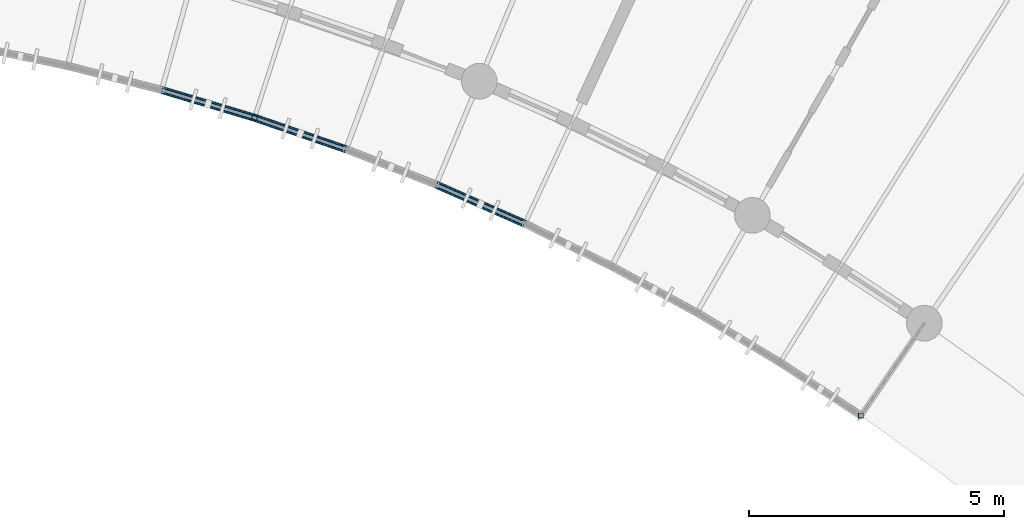
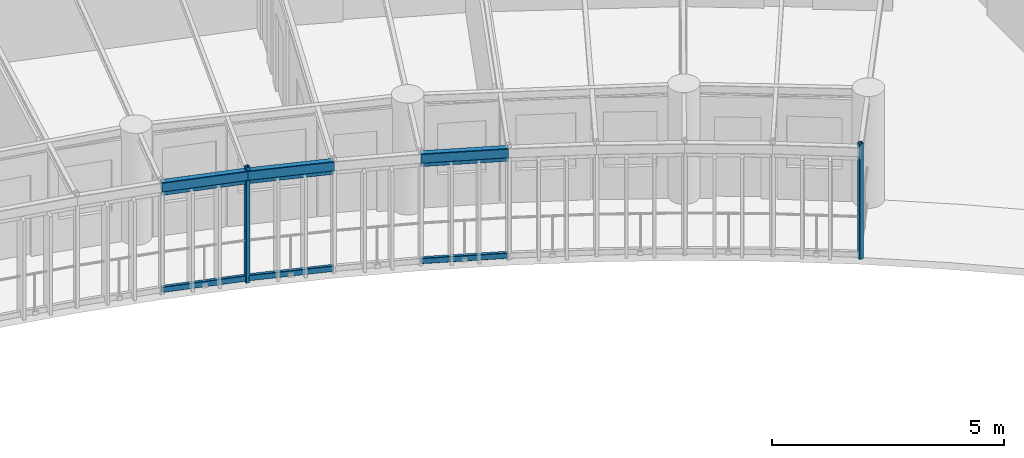
# One storey, part 53 of 123: 8 members, 3 beams.
"""IFC4 building model written with IfcOpenShell, lengths in metres."""

from ifc_helpers import new_model, si_unit, direction, frame, origin, origin_2d, place, context, subcontext, project, spatial, hollow_rectangle, extrude, material, material_profile, profile_set, type_object, element, save


model = new_model("IFC4")

# Units and contexts
model_context = context("Model", 3, precision=1e-05, world=origin(), true_north=direction((0.0, 1.0)))
body_context = subcontext(model_context, "Body", "Model", "MODEL_VIEW")
ifc_project = project(units=[si_unit("LENGTHUNIT", "METRE"), si_unit("AREAUNIT", "SQUARE_METRE"), si_unit("VOLUMEUNIT", "CUBIC_METRE"), si_unit("PLANEANGLEUNIT", "RADIAN"), si_unit("MASSUNIT", "GRAM", prefix="KILO"), si_unit("POWERUNIT", "WATT"), si_unit("THERMODYNAMICTEMPERATUREUNIT", "KELVIN")], contexts=[model_context])

# Site, building, storey
site_placement = place(None, origin())
site = spatial("IfcSite", under=ifc_project, at=site_placement, CompositionType="ELEMENT")
building_placement = place(site_placement, origin())
building = spatial("IfcBuilding", under=site, at=building_placement, Name="Ruvembo Vaulted Housing Court", CompositionType="ELEMENT")
storey_placement = place(building_placement, frame((0.0, 0.0, 7.699951171875)))
storey = spatial("IfcBuildingStorey", under=building, at=storey_placement, Name="L02", CompositionType="ELEMENT", Elevation=7.699951171875)

# Beams
ifc_material = material(Name="Steel S355J2", Category="steel")
ifc_material_profile_1 = material_profile(ifc_material, hollow_rectangle(XDim=0.14990234375, YDim=0.25, WallThickness=0.010009765625, InnerFilletRadius=0.010009765625, OuterFilletRadius=0.02001953125, at=origin_2d()), Name="RHS 250x150x10")
ifc_profile_set_1 = profile_set([ifc_material_profile_1], Name="Steel S355J2")
beam_type = type_object("IfcBeamType", Name="BM-ST-RHS250", PredefinedType="SPANDREL", material=ifc_profile_set_1)
beam_1_placement = place(storey_placement, frame((129.208251953125, 94.142822265625, 2.81494140625), z_axis=(0.958108609181, -0.286405120439, 0.0), x_axis=(0.286405120439, 0.958108609181, 0.0)))
element("IfcBeam", 1, at=beam_1_placement, inside=storey, type_object=beam_type, Name="Scoop SC3 L02 Balcony Edge Spandrel 21", PredefinedType="SPANDREL", context=body_context, shape_type="SweptSolid", body=[
    extrude(hollow_rectangle(XDim=0.14990234375, YDim=0.25, WallThickness=0.010009765625, InnerFilletRadius=0.010009765625, OuterFilletRadius=0.02001953125, at=origin_2d()), origin(), (0.0, 0.0, 1.0), 1.90087890625),
])
beam_2_placement = place(storey_placement, frame((131.029541015625, 93.598388671875, 2.81494140625), z_axis=(0.945357969834, -0.326034214264, 0.0), x_axis=(0.326034214264, 0.945357969834, 0.0)))
element("IfcBeam", 2, at=beam_2_placement, inside=storey, type_object=beam_type, Name="Scoop SC3 L02 Balcony Edge Spandrel 22", PredefinedType="SPANDREL", context=body_context, shape_type="SweptSolid", body=[
    extrude(hollow_rectangle(XDim=0.14990234375, YDim=0.25, WallThickness=0.010009765625, InnerFilletRadius=0.010009765625, OuterFilletRadius=0.02001953125, at=origin_2d()), origin(), (0.0, 0.0, 1.0), 1.9013671875),
])
beam_3_placement = place(storey_placement, frame((134.5966796875, 92.28466796875, 2.81494140625), z_axis=(0.91507815309, -0.403276547467, 0.0), x_axis=(0.403276547467, 0.91507815309, 0.0)))
element("IfcBeam", 3, at=beam_3_placement, inside=storey, type_object=beam_type, Name="Scoop SC3 L02 Balcony Edge Spandrel 24", PredefinedType="SPANDREL", context=body_context, shape_type="SweptSolid", body=[
    extrude(hollow_rectangle(XDim=0.14990234375, YDim=0.25, WallThickness=0.010009765625, InnerFilletRadius=0.010009765625, OuterFilletRadius=0.02001953125, at=origin_2d()), origin(), (0.0, 0.0, 1.0), 1.90087890625),
])

# Members
ifc_material_profile_2 = material_profile(ifc_material, hollow_rectangle(XDim=0.06005859375, YDim=0.1201171875, WallThickness=0.0048828125, InnerFilletRadius=0.0048828125, OuterFilletRadius=0.010009765625, at=origin_2d()), Name="RHS 120x60x5")
ifc_profile_set_2 = profile_set([ifc_material_profile_2], Name="Steel S355J2")
member_type_1 = type_object("IfcMemberType", Name="MEM-CAR-RHS120", PredefinedType="CHORD", material=ifc_profile_set_2)
member_1_placement = place(storey_placement, frame((129.208251953125, 94.142822265625, 2.633056640625), z_axis=(0.958108609181, -0.286405120439, 0.0), x_axis=(0.286405120439, 0.958108609181, 0.0)))
element("IfcMember", 4, at=member_1_placement, inside=storey, type_object=member_type_1, Name="Scoop SC3 L02 Upper Louvre Carrier Rail 21", PredefinedType="CHORD", context=body_context, shape_type="SweptSolid", body=[
    extrude(hollow_rectangle(XDim=0.06005859375, YDim=0.1201171875, WallThickness=0.0048828125, InnerFilletRadius=0.0048828125, OuterFilletRadius=0.010009765625, at=origin_2d()), origin(), (0.0, 0.0, 1.0), 1.90087890625),
])
member_2_placement = place(storey_placement, frame((131.029541015625, 93.598388671875, 2.633056640625), z_axis=(0.945357969834, -0.326034214264, 0.0), x_axis=(0.326034214264, 0.945357969834, 0.0)))
element("IfcMember", 5, at=member_2_placement, inside=storey, type_object=member_type_1, Name="Scoop SC3 L02 Upper Louvre Carrier Rail 22", PredefinedType="CHORD", context=body_context, shape_type="SweptSolid", body=[
    extrude(hollow_rectangle(XDim=0.06005859375, YDim=0.1201171875, WallThickness=0.0048828125, InnerFilletRadius=0.0048828125, OuterFilletRadius=0.010009765625, at=origin_2d()), origin(), (0.0, 0.0, 1.0), 1.9013671875),
])
member_3_placement = place(storey_placement, frame((134.5966796875, 92.28466796875, 2.633056640625), z_axis=(0.91507815309, -0.403276547467, 0.0), x_axis=(0.403276547467, 0.91507815309, 0.0)))
element("IfcMember", 6, at=member_3_placement, inside=storey, type_object=member_type_1, Name="Scoop SC3 L02 Upper Louvre Carrier Rail 24", PredefinedType="CHORD", context=body_context, shape_type="SweptSolid", body=[
    extrude(hollow_rectangle(XDim=0.06005859375, YDim=0.1201171875, WallThickness=0.0048828125, InnerFilletRadius=0.0048828125, OuterFilletRadius=0.010009765625, at=origin_2d()), origin(), (0.0, 0.0, 1.0), 1.90087890625),
])
ifc_material_profile_3 = material_profile(ifc_material, hollow_rectangle(XDim=0.080078125, YDim=0.14990234375, WallThickness=0.00634765625, InnerFilletRadius=0.00634765625, OuterFilletRadius=0.0126953125, at=origin_2d()), Name="RHS 150x80x6.3")
ifc_profile_set_3 = profile_set([ifc_material_profile_3], Name="Steel S355J2")
member_type_2 = type_object("IfcMemberType", Name="MEM-CAR-RHS150", PredefinedType="CHORD", material=ifc_profile_set_3)
member_4_placement = place(storey_placement, frame((129.208251953125, 94.142822265625, 0.094970703125), z_axis=(0.958108609181, -0.286405120439, 0.0), x_axis=(0.286405120439, 0.958108609181, 0.0)))
element("IfcMember", 7, at=member_4_placement, inside=storey, type_object=member_type_2, Name="Scoop SC3 L02 Lower Louvre Carrier Rail 21", PredefinedType="CHORD", context=body_context, shape_type="SweptSolid", body=[
    extrude(hollow_rectangle(XDim=0.080078125, YDim=0.14990234375, WallThickness=0.00634765625, InnerFilletRadius=0.00634765625, OuterFilletRadius=0.0126953125, at=origin_2d()), origin(), (0.0, 0.0, 1.0), 1.90087890625),
])
member_5_placement = place(storey_placement, frame((131.029541015625, 93.598388671875, 0.094970703125), z_axis=(0.945357969834, -0.326034214264, 0.0), x_axis=(0.326034214264, 0.945357969834, 0.0)))
element("IfcMember", 8, at=member_5_placement, inside=storey, type_object=member_type_2, Name="Scoop SC3 L02 Lower Louvre Carrier Rail 22", PredefinedType="CHORD", context=body_context, shape_type="SweptSolid", body=[
    extrude(hollow_rectangle(XDim=0.080078125, YDim=0.14990234375, WallThickness=0.00634765625, InnerFilletRadius=0.00634765625, OuterFilletRadius=0.0126953125, at=origin_2d()), origin(), (0.0, 0.0, 1.0), 1.9013671875),
])
member_6_placement = place(storey_placement, frame((134.5966796875, 92.28466796875, 0.094970703125), z_axis=(0.91507815309, -0.403276547467, 0.0), x_axis=(0.403276547467, 0.91507815309, 0.0)))
element("IfcMember", 9, at=member_6_placement, inside=storey, type_object=member_type_2, Name="Scoop SC3 L02 Lower Louvre Carrier Rail 24", PredefinedType="CHORD", context=body_context, shape_type="SweptSolid", body=[
    extrude(hollow_rectangle(XDim=0.080078125, YDim=0.14990234375, WallThickness=0.00634765625, InnerFilletRadius=0.00634765625, OuterFilletRadius=0.0126953125, at=origin_2d()), origin(), (0.0, 0.0, 1.0), 1.90087890625),
])
ifc_material_profile_4 = material_profile(ifc_material, hollow_rectangle(XDim=0.10009765625, YDim=0.10009765625, WallThickness=0.00634765625, InnerFilletRadius=0.00634765625, OuterFilletRadius=0.0126953125, at=origin_2d()), Name="SHS 100x100x6.3")
ifc_profile_set_4 = profile_set([ifc_material_profile_4], Name="Steel S355J2")
member_type_3 = type_object("IfcMemberType", Name="MEM-FRM-SHS100", PredefinedType="STRUT", material=ifc_profile_set_4)
for number, where, z_axis, x_axis, name in (
    (10, (131.029541015625, 93.598388671875, -0.014892578125), (0.0, 0.0, 1.0), (1.0, 0.0, 0.0), "Scoop SC3 L02 Louvre Frame Post 22"),
    (11, (142.9326171875, 87.751220703125, -0.014892578125), (0.0, 0.0, 1.0), (1.0, 0.0, 0.0), "Scoop SC3 L02 Louvre End Post"),
):
    element("IfcMember", number, at=place(storey_placement, frame(where, z_axis=z_axis, x_axis=x_axis)), inside=storey, type_object=member_type_3, Name=name, PredefinedType="STRUT", context=body_context, shape_type="SweptSolid", body=[
        extrude(hollow_rectangle(XDim=0.10009765625, YDim=0.10009765625, WallThickness=0.00634765625, InnerFilletRadius=0.00634765625, OuterFilletRadius=0.0126953125, at=origin_2d()), origin(), (0.0, 0.0, 1.0), 3.041015625),
    ])

save(model, "model.ifc")
